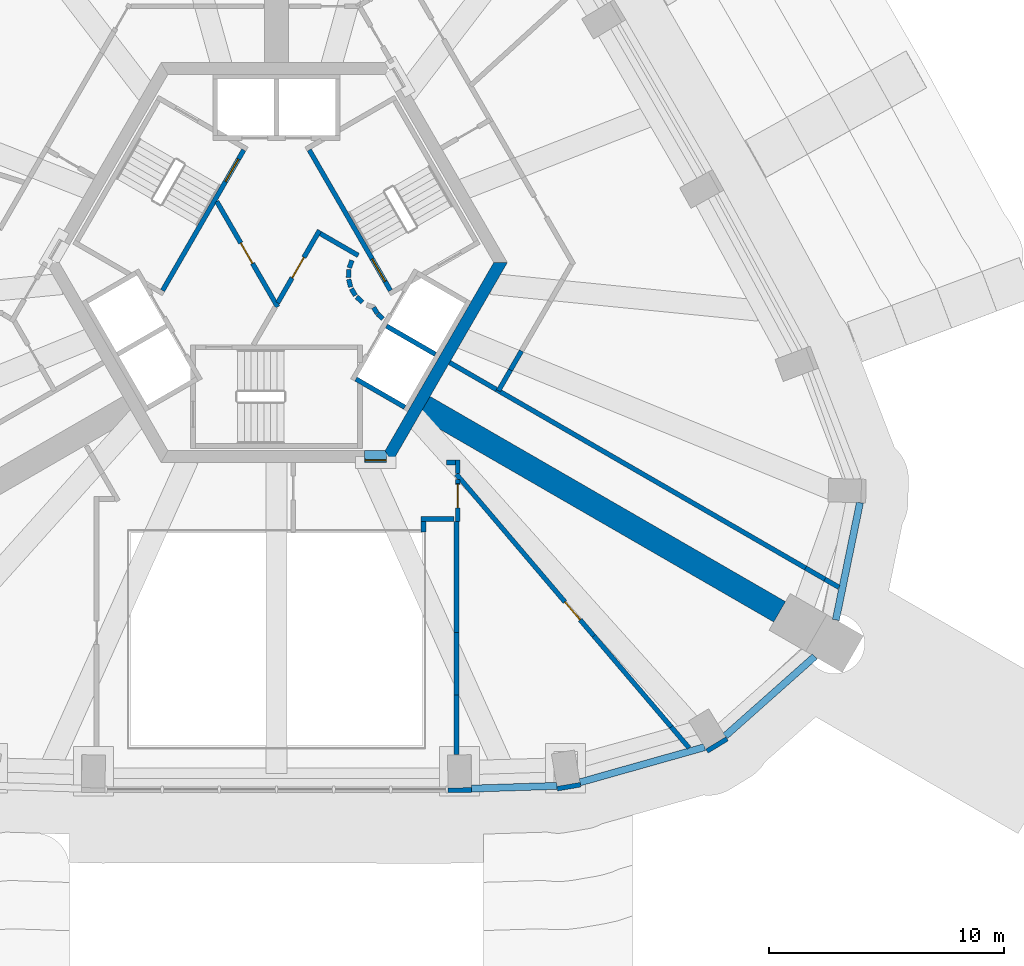
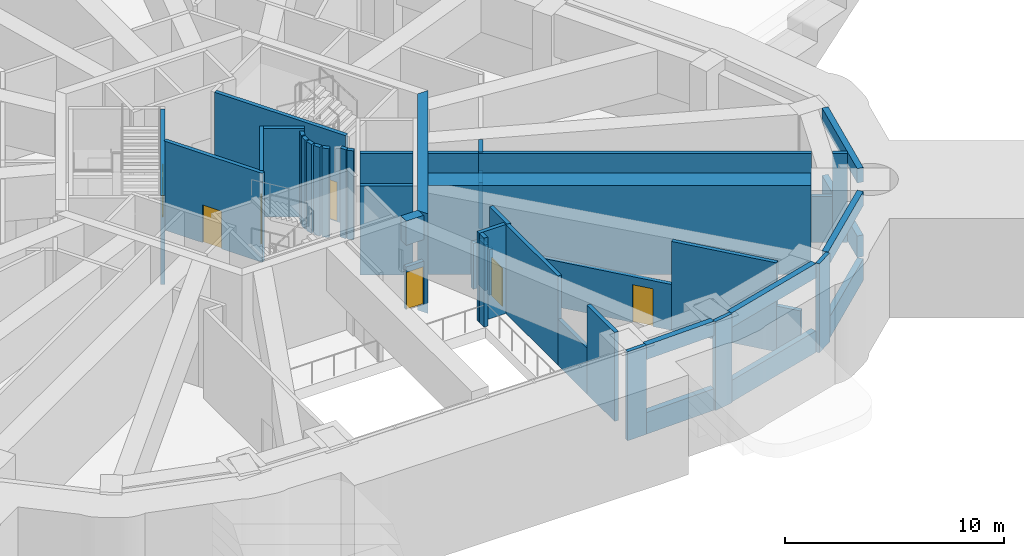
# One storey, part 5 of 15: 47 walls, 7 doors, 7 openings.
"""IFC4 building model written with IfcOpenShell, lengths in metres."""

from ifc_helpers import new_model, si_unit, direction, frame, frame_2d, origin, place, context, subcontext, project, spatial, polyline, rectangle, outline, extrude, material, layer, layer_set, type_object, element, fill, save


model = new_model("IFC4")

# Units and contexts
model_context = context("Model", 3, precision=1e-05, world=origin(), true_north=direction((0.0, 1.0)))
body_context = subcontext(model_context, "Body", "Model", "MODEL_VIEW")
ifc_project = project(units=[si_unit("LENGTHUNIT", "METRE"), si_unit("AREAUNIT", "SQUARE_METRE"), si_unit("VOLUMEUNIT", "CUBIC_METRE"), si_unit("PLANEANGLEUNIT", "RADIAN"), si_unit("MASSUNIT", "GRAM", prefix="KILO")], contexts=[model_context])

# Site, building, storey
site_placement = place(None, origin())
site = spatial("IfcSite", under=ifc_project, at=site_placement, CompositionType="ELEMENT")
building_placement = place(site_placement, origin())
building = spatial("IfcBuilding", under=site, at=building_placement, Name="Entoto Arch Interchange Tower", CompositionType="ELEMENT")
storey_placement = place(building_placement, frame((0.0, 0.0, 326.0)))
storey = spatial("IfcBuildingStorey", under=building, at=storey_placement, Name="L77", CompositionType="ELEMENT", Elevation=326.0)

# Wall, opening, door
ifc_material_1 = material(Name="Reinforced concrete C40/50", Category="concrete")
ifc_layer_1 = layer(ifc_material_1, 0.199951171875)
ifc_layer_set_1 = layer_set([ifc_layer_1], Name="Reinforced concrete C40/50")
wall_type_1 = type_object("IfcWallType", Name="CORE GAP INFILL WALL", PredefinedType="PARTITIONING", material=ifc_layer_set_1)
wall_1_placement = place(storey_placement, frame((3.75, -5.89990234375, 0.0), z_axis=(0.0, 0.0, 1.0), x_axis=(1.0, 0.0, 0.0)))
wall_1 = element("IfcWall", 1, at=wall_1_placement, inside=storey, type_object=wall_type_1, Name="wall:L77:gap1", PredefinedType="PARTITIONING", context=body_context, shape_type="SweptSolid", body=[
    extrude(rectangle(XDim=0.926025390625, YDim=0.199951171875, at=frame_2d((0.462890625, 0.0))), origin(), (0.0, 0.0, 1.0), 2.39990234375),
])
opening_1_placement = place(wall_1_placement, frame((0.01708984375, 0.0, 0.0)))
opening_1 = element("IfcOpeningElement", 2, at=opening_1_placement, cuts=wall_1, Name="Opening L77-D91", PredefinedType="OPENING", context=body_context, shape_type="SweptSolid", body=[
    extrude(rectangle(XDim=0.89990234375, YDim=2.10009765625, at=frame_2d((0.449951171875, 1.050048828125))), frame((0.0, 0.10986328125, 0.0), z_axis=(0.0, -1.0, 0.0), x_axis=(1.0, 0.0, 0.0)), (0.0, 0.0, 1.0), 0.219970703125),
])
ifc_material_2 = material(Name="Fire-rated Steel S235 door and frame", Category="steel")
door_type_1 = type_object("IfcDoorType", Name="DOOR FD-09 900x2100", OperationType="SINGLE_SWING_LEFT", PredefinedType="DOOR", material=ifc_material_2)
door_1_placement = place(opening_1_placement, origin())
door_1 = element("IfcDoor", 3, at=door_1_placement, inside=storey, type_object=door_type_1, Name="door:L77:gap1", OperationType="SINGLE_SWING_LEFT", OverallHeight=2.10009765625, OverallWidth=0.89990234375, PredefinedType="DOOR", context=body_context, shape_type="SweptSolid", body=[
    extrude(rectangle(XDim=0.89990234375, YDim=2.10009765625, at=frame_2d((0.449951171875, 1.050048828125))), frame((0.0, 0.02490234375, 0.0), z_axis=(0.0, -1.0, 0.0), x_axis=(1.0, 0.0, 0.0)), (0.0, 0.0, 1.0), 0.050048828125),
])
fill(opening_1, door_1)

# Walls
ifc_material_3 = material(Name="Concrete C40/50", Category="concrete")
ifc_layer_2 = layer(ifc_material_3, 0.5)
ifc_layer_set_2 = layer_set([ifc_layer_2], Name="Concrete C40/50")
wall_type_2 = type_object("IfcWallType", Name="Core wall 500 C40/50", PredefinedType="SHEAR", material=ifc_layer_set_2)
wall_2_placement = place(storey_placement, frame((0.0, 0.0, 3.60009765625)))
element("IfcWall", 4, at=wall_2_placement, inside=storey, type_object=wall_type_2, Name="Core wall lintel S L77", PredefinedType="SHEAR", context=body_context, shape_type="SweptSolid", body=[
    extrude(outline(polyline([(4.676025390625, -6.0), (4.676025390625, -5.60009765625), (4.618896484375, -5.5), (3.75, -5.5), (3.75, -6.0), (4.676025390625, -6.0)])), origin(), (0.0, 0.0, 1.0), 1.349853515625),
])
wall_3_placement = place(storey_placement, frame((0.0, 0.0, -0.60009765625)))
element("IfcWall", 5, at=wall_3_placement, inside=storey, type_object=wall_type_2, Name="Core wall SE L77", PredefinedType="SHEAR", context=body_context, shape_type="SweptSolid", body=[
    extrude(outline(polyline([(4.906982421875, -6.0), (9.81494140625, 2.5), (9.238037109375, 2.5), (4.618896484375, -5.5), (4.906982421875, -6.0)])), origin(), (0.0, 0.0, 1.0), 5.550048828125),
])
ifc_layer_3 = layer(ifc_material_3, 0.199951171875)
ifc_layer_set_3 = layer_set([ifc_layer_3], Name="Concrete C40/50")
wall_type_3 = type_object("IfcWallType", Name="LIFT SHAFT WALL 200", PredefinedType="STANDARD", material=ifc_layer_set_3)
wall_4_placement = place(storey_placement, frame((3.376953125, -2.451904296875, 0.0), z_axis=(0.0, 0.0, 1.0), x_axis=(0.865955154139, -0.50012165622, 0.0)))
element("IfcWall", 6, at=wall_4_placement, inside=storey, type_object=wall_type_3, Name="Shaft wall SE1 cross 1", PredefinedType="STANDARD", context=body_context, shape_type="SweptSolid", body=[
    extrude(rectangle(XDim=2.39990234375, YDim=0.199951171875, at=frame_2d((1.199951171875, 0.0))), origin(), (0.0, 0.0, 1.0), 4.949951171875),
])
wall_5_placement = place(storey_placement, frame((4.677001953125, -0.199951171875, 0.0), z_axis=(0.0, 0.0, 1.0), x_axis=(0.865973769406, -0.500089422704, 0.0)))
element("IfcWall", 7, at=wall_5_placement, inside=storey, type_object=wall_type_3, Name="Shaft wall SE1 cross 2", PredefinedType="STANDARD", context=body_context, shape_type="SweptSolid", body=[
    extrude(rectangle(XDim=2.3994140625, YDim=0.199951171875, at=frame_2d((1.19970703125, 0.0))), origin(), (0.0, 0.0, 1.0), 4.949951171875),
])
ifc_layer_4 = layer(ifc_material_3, 1.0)
ifc_layer_set_4 = layer_set([ifc_layer_4], Name="Concrete C40/50")
wall_type_4 = type_object("IfcWallType", Name="Outrigger wall 1000 C40/50", PredefinedType="SHEAR", material=ifc_layer_set_4)
wall_6_placement = place(storey_placement, frame((6.279052734375, -3.625, 0.0), z_axis=(0.0, 0.0, 1.0), x_axis=(0.866025543801, -0.499999757484, 0.0)))
element("IfcWall", 8, at=wall_6_placement, inside=storey, type_object=wall_type_4, Name="Outrigger wall SE L77", PredefinedType="SHEAR", context=body_context, shape_type="SweptSolid", body=[
    extrude(rectangle(XDim=17.4521484375, YDim=1.0, at=frame_2d((8.72607421875, 0.0))), origin(), (0.0, 0.0, 1.0), 4.949951171875),
])
ifc_material_4 = material(Name="Gypsum board partition on steel studs", Category="steel")
ifc_layer_5 = layer(ifc_material_4, 0.199951171875)
ifc_layer_set_5 = layer_set([ifc_layer_5], Name="Gypsum board partition on steel studs")
wall_type_5 = type_object("IfcWallType", Name="PARTITION 200", PredefinedType="PARTITIONING", material=ifc_layer_set_5)
wall_7_placement = place(storey_placement, frame((1.865966796875, 3.73193359375, 0.0), z_axis=(0.0, 0.0, 1.0), x_axis=(0.866043361281, -0.499968895414, 0.0)))
element("IfcWall", 9, at=wall_7_placement, inside=storey, type_object=wall_type_5, Name="wall:L77:p002", PredefinedType="PARTITIONING", context=body_context, shape_type="SweptSolid", body=[
    extrude(rectangle(XDim=1.85791015625, YDim=0.199951171875, at=frame_2d((0.928955078125, 0.0))), origin(), (0.0, 0.0, 1.0), 4.949951171875),
])
wall_8_placement = place(storey_placement, frame((3.2080078125, 2.592041015625, 0.0), z_axis=(0.0, 0.0, 1.0), x_axis=(-0.337388820924, -0.941365382578, 0.0)))
element("IfcWall", 10, at=wall_8_placement, inside=storey, type_object=wall_type_5, Name="wall:L77:p003", PredefinedType="PARTITIONING", context=body_context, shape_type="SweptSolid", body=[
    extrude(rectangle(XDim=0.337890625, YDim=0.199951171875, at=frame_2d((0.1689453125, 0.0))), origin(), (0.0, 0.0, 1.0), 4.949951171875),
])
wall_9_placement = place(storey_placement, frame((3.0791015625, 2.198974609375, 0.0), z_axis=(0.0, 0.0, 1.0), x_axis=(-0.047771483479, -0.998858290933, 0.0)))
element("IfcWall", 11, at=wall_9_placement, inside=storey, type_object=wall_type_5, Name="wall:L77:p004", PredefinedType="PARTITIONING", context=body_context, shape_type="SweptSolid", body=[
    extrude(rectangle(XDim=0.33740234375, YDim=0.199951171875, at=frame_2d((0.168701171875, 0.0))), origin(), (0.0, 0.0, 1.0), 4.949951171875),
])
wall_10_placement = place(storey_placement, frame((3.070068359375, 1.785888671875, 0.0), z_axis=(0.0, 0.0, 1.0), x_axis=(0.242705583207, -0.970099994784, 0.0)))
element("IfcWall", 12, at=wall_10_placement, inside=storey, type_object=wall_type_5, Name="wall:L77:p005", PredefinedType="PARTITIONING", context=body_context, shape_type="SweptSolid", body=[
    extrude(rectangle(XDim=0.337890625, YDim=0.199951171875, at=frame_2d((0.1689453125, 0.0))), origin(), (0.0, 0.0, 1.0), 4.949951171875),
])
for number, where, z_axis, x_axis, name in (
    (13, (3.181884765625, 1.387939453125, 0.0), (0.0, 0.0, 1.0), (0.512474702713, -0.85870232274, 0.0), "wall:L77:p006"),
    (14, (3.404052734375, 1.0390625, 0.0), (0.0, 0.0, 1.0), (0.740267097712, -0.672312891476, 0.0), "wall:L77:p007"),
):
    element("IfcWall", number, at=place(storey_placement, frame(where, z_axis=z_axis, x_axis=x_axis)), inside=storey, type_object=wall_type_5, Name=name, PredefinedType="PARTITIONING", context=body_context, shape_type="SweptSolid", body=[
        extrude(rectangle(XDim=0.337646484375, YDim=0.199951171875, at=frame_2d((0.1689453125, 0.0))), origin(), (0.0, 0.0, 1.0), 4.949951171875),
    ])
wall_11_placement = place(storey_placement, frame((4.132080078125, 0.593017578125, 0.0), z_axis=(0.0, 0.0, 1.0), x_axis=(0.513561617048, -0.858052717201, 0.0)))
element("IfcWall", 15, at=wall_11_placement, inside=storey, type_object=wall_type_5, Name="wall:L77:p009", PredefinedType="PARTITIONING", context=body_context, shape_type="SweptSolid", body=[
    extrude(rectangle(XDim=0.3076171875, YDim=0.199951171875, at=frame_2d((0.15380859375, 0.0))), origin(), (0.0, 0.0, 1.0), 4.949951171875),
])
wall_12_placement = place(storey_placement, frame((4.301025390625, 0.31494140625, 0.0), z_axis=(0.0, 0.0, 1.0), x_axis=(0.741798017506, -0.670623367639, 0.0)))
element("IfcWall", 16, at=wall_12_placement, inside=storey, type_object=wall_type_5, Name="wall:L77:p010", PredefinedType="PARTITIONING", context=body_context, shape_type="SweptSolid", body=[
    extrude(rectangle(XDim=0.30859375, YDim=0.199951171875, at=frame_2d((0.154296875, 0.0))), origin(), (0.0, 0.0, 1.0), 4.949951171875),
])

# Wall, opening, door
wall_13_placement = place(storey_placement, frame((0.050048828125, 0.787109375, 0.0), z_axis=(0.0, 0.0, 1.0), x_axis=(0.499954076797, 0.866051915934, 0.0)))
wall_13 = element("IfcWall", 17, at=wall_13_placement, inside=storey, type_object=wall_type_5, Name="wall:L77:p011", PredefinedType="PARTITIONING", context=body_context, shape_type="SweptSolid", body=[
    extrude(rectangle(XDim=3.558349609375, YDim=0.199951171875, at=frame_2d((1.779296875, 0.0))), origin(), (0.0, 0.0, 1.0), 4.949951171875),
])
opening_2_placement = place(wall_13_placement, frame((1.22900390625, 0.0, 0.0)))
opening_2 = element("IfcOpeningElement", 18, at=opening_2_placement, cuts=wall_13, Name="Opening L77-D15", PredefinedType="OPENING", context=body_context, shape_type="SweptSolid", body=[
    extrude(rectangle(XDim=1.0, YDim=2.10009765625, at=frame_2d((0.5, 1.050048828125))), frame((0.0, 0.10986328125, 0.0), z_axis=(0.0, -1.0, 0.0), x_axis=(1.0, 0.0, 0.0)), (0.0, 0.0, 1.0), 0.219970703125),
])
door_type_2 = type_object("IfcDoorType", Name="DOOR FD-10 1000x2100", OperationType="SINGLE_SWING_LEFT", PredefinedType="DOOR", material=ifc_material_2)
door_2_placement = place(opening_2_placement, origin())
door_2 = element("IfcDoor", 19, at=door_2_placement, inside=storey, type_object=door_type_2, Name="door:L77:15", OperationType="SINGLE_SWING_RIGHT", OverallHeight=2.10009765625, OverallWidth=1.0, PredefinedType="DOOR", context=body_context, shape_type="SweptSolid", body=[
    extrude(rectangle(XDim=1.0, YDim=2.10009765625, at=frame_2d((0.5, 1.050048828125))), frame((0.0, 0.02490234375, 0.0), z_axis=(0.0, -1.0, 0.0), x_axis=(1.0, 0.0, 0.0)), (0.0, 0.0, 1.0), 0.050048828125),
])
fill(opening_2, door_2)

wall_14_placement = place(storey_placement, frame((-2.5400390625, 5.10009765625, 0.0), z_axis=(0.0, 0.0, 1.0), x_axis=(0.499925051871, -0.866068670783, 0.0)))
wall_14 = element("IfcWall", 20, at=wall_14_placement, inside=storey, type_object=wall_type_5, Name="wall:L77:p012", PredefinedType="PARTITIONING", context=body_context, shape_type="SweptSolid", body=[
    extrude(rectangle(XDim=5.180908203125, YDim=0.199951171875, at=frame_2d((2.59033203125, 0.0))), origin(), (0.0, 0.0, 1.0), 4.949951171875),
])
opening_3_placement = place(wall_14_placement, frame((2.0400390625, 0.0, 0.0)))
opening_3 = element("IfcOpeningElement", 21, at=opening_3_placement, cuts=wall_14, Name="Opening L77-D16", PredefinedType="OPENING", context=body_context, shape_type="SweptSolid", body=[
    extrude(rectangle(XDim=1.0, YDim=2.10009765625, at=frame_2d((0.5, 1.050048828125))), frame((0.0, 0.10986328125, 0.0), z_axis=(0.0, -1.0, 0.0), x_axis=(1.0, 0.0, 0.0)), (0.0, 0.0, 1.0), 0.219970703125),
])
door_3_placement = place(opening_3_placement, origin())
door_3 = element("IfcDoor", 22, at=door_3_placement, inside=storey, type_object=door_type_2, Name="door:L77:16", OperationType="SINGLE_SWING_RIGHT", OverallHeight=2.10009765625, OverallWidth=1.0, PredefinedType="DOOR", context=body_context, shape_type="SweptSolid", body=[
    extrude(rectangle(XDim=1.0, YDim=2.10009765625, at=frame_2d((0.5, 1.050048828125))), frame((0.0, 0.02490234375, 0.0), z_axis=(0.0, -1.0, 0.0), x_axis=(1.0, 0.0, 0.0)), (0.0, 0.0, 1.0), 0.050048828125),
])
fill(opening_3, door_3)

# Walls
wall_15_placement = place(storey_placement, frame((7.550048828125, -8.39990234375, 0.0), z_axis=(0.0, 0.0, 1.0), x_axis=(-1.0, 0.0, 0.0)))
element("IfcWall", 23, at=wall_15_placement, inside=storey, type_object=wall_type_5, Name="wall:L77:p014", PredefinedType="PARTITIONING", context=body_context, shape_type="SweptSolid", body=[
    extrude(rectangle(XDim=1.400146484375, YDim=0.199951171875, at=frame_2d((0.7001953125, 0.0))), origin(), (0.0, 0.0, 1.0), 4.949951171875),
])
wall_16_placement = place(storey_placement, frame((6.25, -8.5, 0.0), z_axis=(0.0, 0.0, 1.0), x_axis=(0.0, -1.0, 0.0)))
element("IfcWall", 24, at=wall_16_placement, inside=storey, type_object=wall_type_5, Name="wall:L77:p015", PredefinedType="PARTITIONING", context=body_context, shape_type="SweptSolid", body=[
    extrude(rectangle(XDim=0.449951171875, YDim=0.199951171875, at=frame_2d((0.22509765625, 0.0))), origin(), (0.0, 0.0, 1.0), 4.949951171875),
])
wall_17_placement = place(storey_placement, frame((7.712890625, -6.718994140625, 0.0), z_axis=(0.0, 0.0, 1.0), x_axis=(0.0, -1.0, 0.0)))
element("IfcWall", 25, at=wall_17_placement, inside=storey, type_object=wall_type_5, Name="wall:L77:p016", PredefinedType="PARTITIONING", context=body_context, shape_type="SweptSolid", body=[
    extrude(rectangle(XDim=0.1689453125, YDim=0.199951171875, at=frame_2d((0.08447265625, 0.0))), origin(), (0.0, 0.0, 1.0), 2.550048828125),
])
wall_18_placement = place(storey_placement, frame((7.22509765625, -6.0, 0.0), z_axis=(0.0, 0.0, 1.0), x_axis=(1.0, 0.0, 0.0)))
element("IfcWall", 26, at=wall_18_placement, inside=storey, type_object=wall_type_5, Name="wall:L77:p017", PredefinedType="PARTITIONING", context=body_context, shape_type="SweptSolid", body=[
    extrude(rectangle(XDim=0.387939453125, YDim=0.199951171875, at=frame_2d((0.19384765625, 0.0))), origin(), (0.0, 0.0, 1.0), 2.550048828125),
])
wall_19_placement = place(storey_placement, frame((7.712890625, -5.89990234375, 0.0), z_axis=(0.0, 0.0, 1.0), x_axis=(0.0, -1.0, 0.0)))
element("IfcWall", 27, at=wall_19_placement, inside=storey, type_object=wall_type_5, Name="wall:L77:p018", PredefinedType="PARTITIONING", context=body_context, shape_type="SweptSolid", body=[
    extrude(rectangle(XDim=0.57421875, YDim=0.199951171875, at=frame_2d((0.287109375, 0.0))), origin(), (0.0, 0.0, 1.0), 2.550048828125),
])
wall_20_placement = place(storey_placement, frame((7.64990234375, -8.5, 0.0), z_axis=(0.0, 0.0, 1.0), x_axis=(0.0, -1.0, 0.0)))
element("IfcWall", 28, at=wall_20_placement, inside=storey, type_object=wall_type_5, Name="wall:L77:p019", PredefinedType="PARTITIONING", context=body_context, shape_type="SweptSolid", body=[
    extrude(rectangle(XDim=4.73388671875, YDim=0.199951171875, at=frame_2d((2.366943359375, 0.0))), origin(), (0.0, 0.0, 1.0), 4.949951171875),
])

# Wall, opening, door
wall_21_placement = place(storey_placement, frame((7.64794921875, -6.498046875, 0.0), z_axis=(0.0, 0.0, 1.0), x_axis=(0.647664127958, -0.761925965798, 0.0)))
wall_21 = element("IfcWall", 29, at=wall_21_placement, inside=storey, type_object=wall_type_5, Name="wall:L77:p023", PredefinedType="PARTITIONING", context=body_context, shape_type="SweptSolid", body=[
    extrude(rectangle(XDim=9.023193359375, YDim=0.199951171875, at=frame_2d((4.51171875, 0.0))), origin(), (0.0, 0.0, 1.0), 2.550048828125),
])
opening_4_placement = place(wall_21_placement, frame((7.1298828125, 0.0, 0.0)))
opening_4 = element("IfcOpeningElement", 30, at=opening_4_placement, cuts=wall_21, Name="Opening L77-D04", PredefinedType="OPENING", context=body_context, shape_type="SweptSolid", body=[
    extrude(rectangle(XDim=1.0, YDim=2.10009765625, at=frame_2d((0.5, 1.050048828125))), frame((0.0, 0.10986328125, 0.0), z_axis=(0.0, -1.0, 0.0), x_axis=(1.0, 0.0, 0.0)), (0.0, 0.0, 1.0), 0.219970703125),
])
ifc_material_5 = material(Name="Timber door leaf in Steel S235 frame", Category="steel")
door_type_3 = type_object("IfcDoorType", Name="DOOR DS-10 1000x2100", OperationType="SINGLE_SWING_LEFT", PredefinedType="DOOR", material=ifc_material_5)
door_4_placement = place(opening_4_placement, origin())
door_4 = element("IfcDoor", 31, at=door_4_placement, inside=storey, type_object=door_type_3, Name="door:L77:04", OperationType="SINGLE_SWING_LEFT", OverallHeight=2.10009765625, OverallWidth=1.0, PredefinedType="DOOR", context=body_context, shape_type="SweptSolid", body=[
    extrude(rectangle(XDim=1.0, YDim=2.10009765625, at=frame_2d((0.5, 1.050048828125))), frame((0.0, 0.02490234375, 0.0), z_axis=(0.0, -1.0, 0.0), x_axis=(1.0, 0.0, 0.0)), (0.0, 0.0, 1.0), 0.050048828125),
])
fill(opening_4, door_4)

# Walls
wall_22_placement = place(storey_placement, frame((7.361083984375, -1.75, 0.0), z_axis=(0.0, 0.0, 1.0), x_axis=(0.866053019151, -0.499952165731, 0.0)))
element("IfcWall", 32, at=wall_22_placement, inside=storey, type_object=wall_type_5, Name="wall:L77:p025", PredefinedType="PARTITIONING", context=body_context, shape_type="SweptSolid", body=[
    extrude(rectangle(XDim=2.300048828125, YDim=0.199951171875, at=frame_2d((1.14990234375, 0.0))), origin(), (0.0, 0.0, 1.0), 4.949951171875),
])
wall_23_placement = place(storey_placement, frame((9.35302734375, -2.89990234375, 0.0), z_axis=(0.0, 0.0, 1.0), x_axis=(0.866014146277, -0.500019498068, 0.0)))
element("IfcWall", 33, at=wall_23_placement, inside=storey, type_object=wall_type_5, Name="wall:L77:p026", PredefinedType="PARTITIONING", context=body_context, shape_type="SweptSolid", body=[
    extrude(rectangle(XDim=15.177734375, YDim=0.199951171875, at=frame_2d((7.5888671875, 0.0))), origin(), (0.0, 0.0, 1.0), 4.949951171875),
])

# Wall, opening, door
wall_24_placement = place(storey_placement, frame((7.712890625, -6.887939453125, 0.0), z_axis=(0.0, 0.0, 1.0), x_axis=(0.0, -1.0, 0.0)))
wall_24 = element("IfcWall", 34, at=wall_24_placement, inside=storey, type_object=wall_type_5, Name="wall:L77:p016", PredefinedType="PARTITIONING", context=body_context, shape_type="SweptSolid", body=[
    extrude(rectangle(XDim=1.612060546875, YDim=0.199951171875, at=frame_2d((0.80615234375, 0.0))), origin(), (0.0, 0.0, 1.0), 4.949951171875),
])
opening_5_placement = place(wall_24_placement, frame((0.044921875, 0.0, 0.0)))
opening_5 = element("IfcOpeningElement", 35, at=opening_5_placement, cuts=wall_24, Name="Opening L77-D02", PredefinedType="OPENING", context=body_context, shape_type="SweptSolid", body=[
    extrude(rectangle(XDim=1.0, YDim=2.10009765625, at=frame_2d((0.5, 1.050048828125))), frame((0.0, 0.10986328125, 0.0), z_axis=(0.0, -1.0, 0.0), x_axis=(1.0, 0.0, 0.0)), (0.0, 0.0, 1.0), 0.219970703125),
])
door_5_placement = place(opening_5_placement, origin())
door_5 = element("IfcDoor", 36, at=door_5_placement, inside=storey, type_object=door_type_2, Name="door:L77:02", OperationType="SINGLE_SWING_LEFT", OverallHeight=2.10009765625, OverallWidth=1.0, PredefinedType="DOOR", context=body_context, shape_type="SweptSolid", body=[
    extrude(rectangle(XDim=1.0, YDim=2.10009765625, at=frame_2d((0.5, 1.050048828125))), frame((0.0, 0.02490234375, 0.0), z_axis=(0.0, -1.0, 0.0), x_axis=(1.0, 0.0, 0.0)), (0.0, 0.0, 1.0), 0.050048828125),
])
fill(opening_5, door_5)

# Walls
wall_25_placement = place(storey_placement, frame((7.64990234375, -13.23388671875, 0.0), z_axis=(0.0, 0.0, 1.0), x_axis=(0.0, -1.0, 0.0)))
element("IfcWall", 37, at=wall_25_placement, inside=storey, type_object=wall_type_5, Name="wall:L77:p019", PredefinedType="PARTITIONING", context=body_context, shape_type="SweptSolid", body=[
    extrude(rectangle(XDim=2.64501953125, YDim=0.199951171875, at=frame_2d((1.322509765625, 0.0))), origin(), (0.0, 0.0, 1.0), 2.550048828125),
])
wall_26_placement = place(storey_placement, frame((7.64990234375, -15.87890625, 0.0), z_axis=(0.0, 0.0, 1.0), x_axis=(0.0, -1.0, 0.0)))
element("IfcWall", 38, at=wall_26_placement, inside=storey, type_object=wall_type_5, Name="wall:L77:p019", PredefinedType="PARTITIONING", context=body_context, shape_type="SweptSolid", body=[
    extrude(rectangle(XDim=2.537109375, YDim=0.199951171875, at=frame_2d((1.2685546875, 0.0))), origin(), (0.0, 0.0, 1.0), 4.949951171875),
])
wall_27_placement = place(storey_placement, frame((13.491943359375, -13.373046875, 0.0), z_axis=(0.0, 0.0, 1.0), x_axis=(0.647739079398, -0.761862248061, 0.0)))
element("IfcWall", 39, at=wall_27_placement, inside=storey, type_object=wall_type_5, Name="wall:L77:p023", PredefinedType="PARTITIONING", context=body_context, shape_type="SweptSolid", body=[
    extrude(rectangle(XDim=5.080810546875, YDim=0.199951171875, at=frame_2d((2.54052734375, 0.0))), origin(), (0.0, 0.0, 1.0), 4.949951171875),
])
wall_28_placement = place(storey_placement, frame((16.782958984375, -17.243896484375, 0.0), z_axis=(0.0, 0.0, 1.0), x_axis=(0.648023463551, -0.761620371765, 0.0)))
element("IfcWall", 40, at=wall_28_placement, inside=storey, type_object=wall_type_5, Name="wall:L77:p023", PredefinedType="PARTITIONING", context=body_context, shape_type="SweptSolid", body=[
    extrude(rectangle(XDim=1.17138671875, YDim=0.199951171875, at=frame_2d((0.585693359375, 0.0))), origin(), (0.0, 0.0, 1.0), 2.550048828125),
])
wall_29_placement = place(storey_placement, frame((22.4970703125, -10.489013671875, 0.0), z_axis=(0.0, 0.0, 1.0), x_axis=(0.865865073245, -0.500277597875, 0.0)))
element("IfcWall", 41, at=wall_29_placement, inside=storey, type_object=wall_type_5, Name="wall:L77:p026", PredefinedType="PARTITIONING", context=body_context, shape_type="SweptSolid", body=[
    extrude(rectangle(XDim=0.95166015625, YDim=0.199951171875, at=frame_2d((0.475830078125, 0.0))), origin(), (0.0, 0.0, 1.0), 2.550048828125),
])
wall_30_placement = place(storey_placement, frame((23.321044921875, -10.965087890625, 0.0), z_axis=(0.0, 0.0, 1.0), x_axis=(0.866333505267, -0.499465972466, 0.0)))
element("IfcWall", 42, at=wall_30_placement, inside=storey, type_object=wall_type_5, Name="wall:L77:p026", PredefinedType="PARTITIONING", context=body_context, shape_type="SweptSolid", body=[
    extrude(rectangle(XDim=0.686767578125, YDim=0.199951171875, at=frame_2d((0.34326171875, 0.0))), origin(), (0.0, 0.0, 1.0), 4.949951171875),
])
wall_31_placement = place(storey_placement, frame((10.4169921875, -1.257080078125, 0.0), z_axis=(0.0, 0.0, 1.0), x_axis=(-0.499812735651, -0.866133493915, 0.0)))
element("IfcWall", 43, at=wall_31_placement, inside=storey, type_object=wall_type_5, Name="wall:L77:p033", PredefinedType="PARTITIONING", context=body_context, shape_type="SweptSolid", body=[
    extrude(rectangle(XDim=0.936279296875, YDim=0.199951171875, at=frame_2d((0.46826171875, 0.0))), origin(), (0.0, 0.0, 1.0), 2.550048828125),
])
wall_32_placement = place(storey_placement, frame((9.948974609375, -2.068115234375, 0.0), z_axis=(0.0, 0.0, 1.0), x_axis=(-0.499930013145, -0.866065806944, 0.0)))
element("IfcWall", 44, at=wall_32_placement, inside=storey, type_object=wall_type_5, Name="wall:L77:p033", PredefinedType="PARTITIONING", context=body_context, shape_type="SweptSolid", body=[
    extrude(rectangle(XDim=1.018310546875, YDim=0.199951171875, at=frame_2d((0.50927734375, 0.0))), origin(), (0.0, 0.0, 1.0), 4.949951171875),
])
ifc_material_6 = material(Name="Board-marked precast concrete C50/60", Category="concrete")
ifc_layer_6 = layer(ifc_material_6, 0.199951171875)
ifc_layer_set_6 = layer_set([ifc_layer_6], Name="Board-marked precast concrete C50/60")
wall_type_6 = type_object("IfcWallType", Name="PRECAST FRAME WALL 200", PredefinedType="STANDARD", material=ifc_layer_set_6)
for number, where, z_axis, x_axis, name in (
    (45, (7.298095703125, -19.944091796875, 0.0), (0.0, 0.0, 1.0), (0.999799669399, 0.020015520725, 0.0), "Frame pier S03 L77"),
    (46, (11.93798828125, -19.87109375, 0.0), (0.0, 0.0, 1.0), (0.985760116403, 0.168157643031, 0.0), "Frame pier S04 L77"),
):
    element("IfcWall", number, at=place(storey_placement, frame(where, z_axis=z_axis, x_axis=x_axis)), inside=storey, type_object=wall_type_6, Name=name, PredefinedType="STANDARD", context=body_context, shape_type="SweptSolid", body=[
        extrude(rectangle(XDim=1.000244140625, YDim=0.199951171875, at=frame_2d((0.5, 0.0))), origin(), (0.0, 0.0, 1.0), 4.949951171875),
    ])
wall_33_placement = place(storey_placement, frame((18.302978515625, -18.27294921875, 0.0), z_axis=(0.0, 0.0, 1.0), x_axis=(0.853679739553, 0.520798331677, 0.0)))
element("IfcWall", 47, at=wall_33_placement, inside=storey, type_object=wall_type_6, Name="Frame pier SE1 L77", PredefinedType="STANDARD", context=body_context, shape_type="SweptSolid", body=[
    extrude(rectangle(XDim=1.00048828125, YDim=0.199951171875, at=frame_2d((0.500244140625, 0.0))), origin(), (0.0, 0.0, 1.0), 4.949951171875),
])
ifc_layer_7 = layer(ifc_material_6, 0.300048828125)
ifc_layer_set_7 = layer_set([ifc_layer_7], Name="Board-marked precast concrete C50/60")
wall_type_7 = type_object("IfcWallType", Name="PRECAST FRAME WALL 300", PredefinedType="STANDARD", material=ifc_layer_set_7)
wall_34_placement = place(storey_placement, frame((8.2958984375, -19.867919921875, 0.0), z_axis=(0.0, 0.0, 1.0), x_axis=(0.9994967126, 0.031722570865, 0.0)))
element("IfcWall", 48, at=wall_34_placement, inside=storey, type_object=wall_type_7, Name="Frame sill wall S-03 L77", PredefinedType="STANDARD", context=body_context, shape_type="SweptSolid", body=[
    extrude(rectangle(XDim=3.624755859375, YDim=0.300048828125, at=frame_2d((1.8125, 0.0))), origin(), (0.0, 0.0, 1.0), 1.199951171875),
])
wall_35_placement = place(storey_placement, frame((8.2958984375, -19.867919921875, 4.14990234375), z_axis=(0.0, 0.0, 1.0), x_axis=(0.9994967126, 0.031722570865, 0.0)))
element("IfcWall", 49, at=wall_35_placement, inside=storey, type_object=wall_type_7, Name="Frame head wall S-03 L77", PredefinedType="STANDARD", context=body_context, shape_type="SweptSolid", body=[
    extrude(rectangle(XDim=3.624755859375, YDim=0.300048828125, at=frame_2d((1.8125, 0.0))), origin(), (0.0, 0.0, 1.0), 0.800048828125),
])
wall_36_placement = place(storey_placement, frame((12.906005859375, -19.60107421875, 0.0), z_axis=(0.0, 0.0, 1.0), x_axis=(0.962383071313, 0.271696198079, 0.0)))
element("IfcWall", 50, at=wall_36_placement, inside=storey, type_object=wall_type_7, Name="Frame sill wall SE-01 L77", PredefinedType="STANDARD", context=body_context, shape_type="SweptSolid", body=[
    extrude(rectangle(XDim=5.5029296875, YDim=0.300048828125, at=frame_2d((2.75146484375, 0.0))), origin(), (0.0, 0.0, 1.0), 1.199951171875),
])
wall_37_placement = place(storey_placement, frame((12.906005859375, -19.60107421875, 4.14990234375), z_axis=(0.0, 0.0, 1.0), x_axis=(0.962383071313, 0.271696198079, 0.0)))
element("IfcWall", 51, at=wall_37_placement, inside=storey, type_object=wall_type_7, Name="Frame head wall SE-01 L77", PredefinedType="STANDARD", context=body_context, shape_type="SweptSolid", body=[
    extrude(rectangle(XDim=5.5029296875, YDim=0.300048828125, at=frame_2d((2.75146484375, 0.0))), origin(), (0.0, 0.0, 1.0), 0.800048828125),
])
wall_38_placement = place(storey_placement, frame((19.08203125, -17.631103515625, 0.0), z_axis=(0.0, 0.0, 1.0), x_axis=(0.74752312802, 0.664235781236, 0.0)))
element("IfcWall", 52, at=wall_38_placement, inside=storey, type_object=wall_type_7, Name="Frame sill wall SE-02 L77", PredefinedType="STANDARD", context=body_context, shape_type="SweptSolid", body=[
    extrude(rectangle(XDim=5.0888671875, YDim=0.300048828125, at=frame_2d((2.54443359375, 0.0))), origin(), (0.0, 0.0, 1.0), 1.199951171875),
])
wall_39_placement = place(storey_placement, frame((19.08203125, -17.631103515625, 4.14990234375), z_axis=(0.0, 0.0, 1.0), x_axis=(0.74752312802, 0.664235781236, 0.0)))
element("IfcWall", 53, at=wall_39_placement, inside=storey, type_object=wall_type_7, Name="Frame head wall SE-02 L77", PredefinedType="STANDARD", context=body_context, shape_type="SweptSolid", body=[
    extrude(rectangle(XDim=5.0888671875, YDim=0.300048828125, at=frame_2d((2.54443359375, 0.0))), origin(), (0.0, 0.0, 1.0), 0.800048828125),
])
wall_40_placement = place(storey_placement, frame((23.784912109375, -12.694091796875, 0.0), z_axis=(0.0, 0.0, 1.0), x_axis=(0.201426878117, 0.979503554242, 0.0)))
element("IfcWall", 54, at=wall_40_placement, inside=storey, type_object=wall_type_7, Name="Frame sill wall SE-03 L77", PredefinedType="STANDARD", context=body_context, shape_type="SweptSolid", body=[
    extrude(rectangle(XDim=5.08935546875, YDim=0.300048828125, at=frame_2d((2.544677734375, 0.0))), origin(), (0.0, 0.0, 1.0), 1.199951171875),
])
wall_41_placement = place(storey_placement, frame((23.784912109375, -12.694091796875, 4.14990234375), z_axis=(0.0, 0.0, 1.0), x_axis=(0.201426878117, 0.979503554242, 0.0)))
element("IfcWall", 55, at=wall_41_placement, inside=storey, type_object=wall_type_7, Name="Frame head wall SE-03 L77", PredefinedType="STANDARD", context=body_context, shape_type="SweptSolid", body=[
    extrude(rectangle(XDim=5.08935546875, YDim=0.300048828125, at=frame_2d((2.544677734375, 0.0))), origin(), (0.0, 0.0, 1.0), 0.800048828125),
])

# Wall, opening, door
ifc_layer_8 = layer(ifc_material_3, 0.199951171875)
ifc_layer_set_8 = layer_set([ifc_layer_8], Name="Concrete C40/50")
wall_type_8 = type_object("IfcWallType", Name="STAIR ENCLOSURE WALL 200", PredefinedType="STANDARD", material=ifc_layer_set_8)
wall_42_placement = place(storey_placement, frame((4.843017578125, 1.31201171875, 0.0), z_axis=(0.0, 0.0, 1.0), x_axis=(-0.499963383562, 0.866046543262, 0.0)))
wall_42 = element("IfcWall", 56, at=wall_42_placement, inside=storey, type_object=wall_type_8, Name="Stair wall ST-NE hall", PredefinedType="STANDARD", context=body_context, shape_type="SweptSolid", body=[
    extrude(rectangle(XDim=6.900390625, YDim=0.199951171875, at=frame_2d((3.4501953125, 0.0))), origin(), (0.0, 0.0, 1.0), 4.949951171875),
])
opening_6_placement = place(wall_42_placement, frame((0.449951171875, 0.0, 0.0)))
opening_6 = element("IfcOpeningElement", 57, at=opening_6_placement, cuts=wall_42, Name="Opening SD-ST-NE-L77", PredefinedType="OPENING", context=body_context, shape_type="SweptSolid", body=[
    extrude(rectangle(XDim=1.10009765625, YDim=2.199951171875, at=frame_2d((0.550048828125, 1.10009765625))), frame((0.0, 0.10986328125, 0.0), z_axis=(0.0, -1.0, 0.0), x_axis=(1.0, 0.0, 0.0)), (0.0, 0.0, 1.0), 0.219970703125),
])
ifc_material_7 = material(Name="Steel S235", Category="steel")
door_type_4 = type_object("IfcDoorType", Name="STAIR DOOR SD1 1100x2200", OperationType="SINGLE_SWING_LEFT", PredefinedType="DOOR", material=ifc_material_7)
door_6_placement = place(opening_6_placement, origin())
door_6 = element("IfcDoor", 58, at=door_6_placement, inside=storey, type_object=door_type_4, Name="Stair door ST-NE L77", OperationType="SINGLE_SWING_LEFT", OverallHeight=2.199951171875, OverallWidth=1.10009765625, PredefinedType="DOOR", context=body_context, shape_type="SweptSolid", body=[
    extrude(rectangle(XDim=1.10009765625, YDim=2.199951171875, at=frame_2d((0.550048828125, 1.10009765625))), frame((0.0, 0.02490234375, 0.0), z_axis=(0.0, -1.0, 0.0), x_axis=(1.0, 0.0, 0.0)), (0.0, 0.0, 1.0), 0.050048828125),
])
fill(opening_6, door_6)

wall_43_placement = place(storey_placement, frame((-1.39306640625, 7.2880859375, 0.0), z_axis=(0.0, 0.0, 1.0), x_axis=(-0.499963383562, -0.866046543262, 0.0)))
wall_43 = element("IfcWall", 59, at=wall_43_placement, inside=storey, type_object=wall_type_8, Name="Stair wall ST-NW hall", PredefinedType="STANDARD", context=body_context, shape_type="SweptSolid", body=[
    extrude(rectangle(XDim=6.900390625, YDim=0.199951171875, at=frame_2d((3.4501953125, 0.0))), origin(), (0.0, 0.0, 1.0), 4.949951171875),
])
opening_7_placement = place(wall_43_placement, frame((0.449951171875, 0.0, 0.0)))
opening_7 = element("IfcOpeningElement", 60, at=opening_7_placement, cuts=wall_43, Name="Opening SD-ST-NW-L77", PredefinedType="OPENING", context=body_context, shape_type="SweptSolid", body=[
    extrude(rectangle(XDim=1.10009765625, YDim=2.199951171875, at=frame_2d((0.550048828125, 1.10009765625))), frame((0.0, 0.10986328125, 0.0), z_axis=(0.0, -1.0, 0.0), x_axis=(1.0, 0.0, 0.0)), (0.0, 0.0, 1.0), 0.219970703125),
])
door_7_placement = place(opening_7_placement, origin())
door_7 = element("IfcDoor", 61, at=door_7_placement, inside=storey, type_object=door_type_4, Name="Stair door ST-NW L77", OperationType="SINGLE_SWING_LEFT", OverallHeight=2.199951171875, OverallWidth=1.10009765625, PredefinedType="DOOR", context=body_context, shape_type="SweptSolid", body=[
    extrude(rectangle(XDim=1.10009765625, YDim=2.199951171875, at=frame_2d((0.550048828125, 1.10009765625))), frame((0.0, 0.02490234375, 0.0), z_axis=(0.0, -1.0, 0.0), x_axis=(1.0, 0.0, 0.0)), (0.0, 0.0, 1.0), 0.050048828125),
])
fill(opening_7, door_7)

save(model, "model.ifc")
